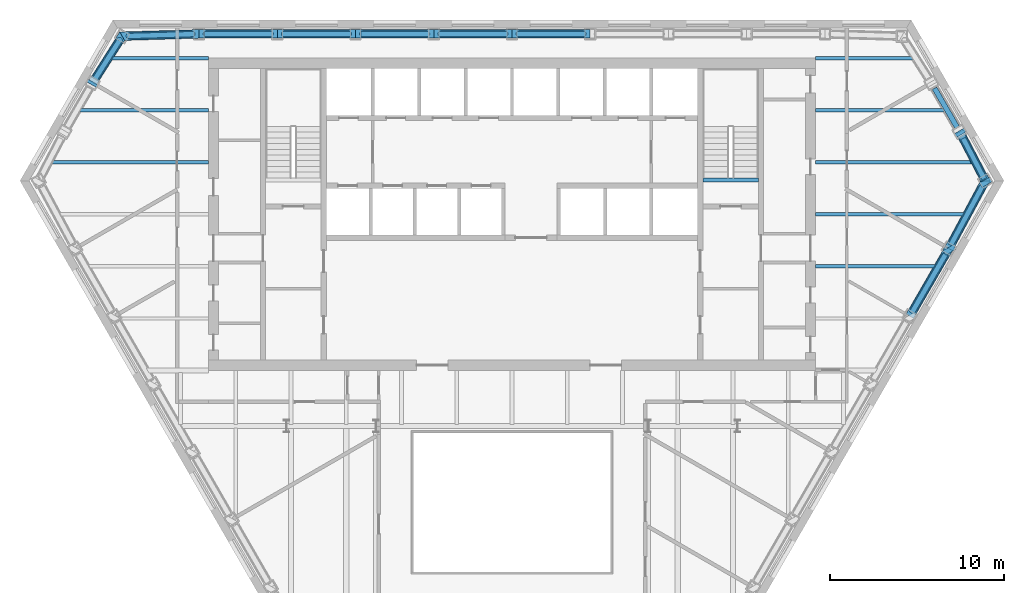
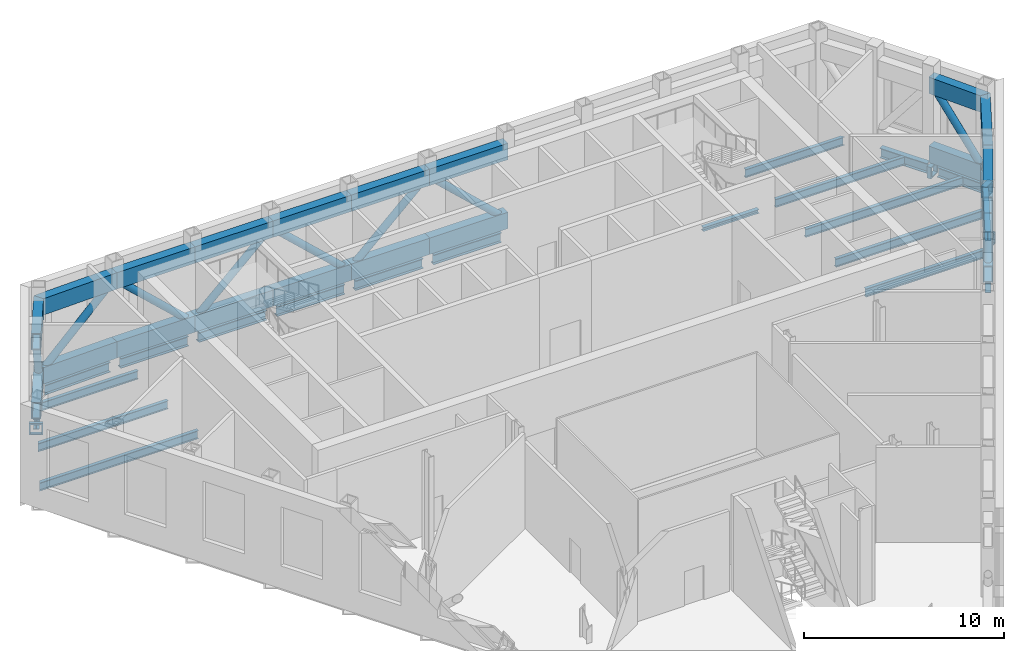
# One storey, part 5 of 14: 30 members, 24 beams.
"""IFC4 building model written with IfcOpenShell, lengths in metres."""

from ifc_helpers import new_model, si_unit, direction, frame, origin, origin_2d, place, context, subcontext, project, spatial, hollow_rectangle, hollow_circle, i_section, extrude, clip, halfspace, material, material_profile, profile_set, type_object, element, save


model = new_model("IFC4")

# Units and contexts
model_context = context("Model", 3, precision=1e-05, world=origin(), true_north=direction((0.0, 1.0)))
body_context = subcontext(model_context, "Body", "Model", "MODEL_VIEW")
ifc_project = project(units=[si_unit("LENGTHUNIT", "METRE"), si_unit("AREAUNIT", "SQUARE_METRE"), si_unit("VOLUMEUNIT", "CUBIC_METRE"), si_unit("PLANEANGLEUNIT", "RADIAN"), si_unit("MASSUNIT", "GRAM", prefix="KILO")], contexts=[model_context])

# Site, building, storey
site_placement = place(None, origin())
site = spatial("IfcSite", under=ifc_project, at=site_placement, CompositionType="ELEMENT")
building_placement = place(site_placement, origin())
building = spatial("IfcBuilding", under=site, at=building_placement, Name="Njiva Tower", CompositionType="ELEMENT")
storey_placement = place(building_placement, frame((0.0, 0.0, 78.3)))
storey = spatial("IfcBuildingStorey", under=building, at=storey_placement, Name="L16", CompositionType="ELEMENT", Elevation=78.3)

# Beams
ifc_material_1 = material(Name="Steel S355 J2", Category="steel")
ifc_material_profile_1 = material_profile(ifc_material_1, hollow_rectangle(XDim=0.7, YDim=0.7, WallThickness=0.08, at=origin_2d()), Name="BOX 700x700x80")
ifc_profile_set_1 = profile_set([ifc_material_profile_1], Name="Steel S355 J2")
beam_type_1 = type_object("IfcBeamType", Name="B19 Column jog beam BOX 700x700x80", PredefinedType="BEAM", material=ifc_profile_set_1)
beam_1_placement = place(storey_placement, frame((-24.227, 16.474, -0.55), z_axis=(0.49972245349, 0.866185586049, 0.0), x_axis=(-0.866185586049, 0.49972245349, 0.0)))
element("IfcBeam", 1, at=beam_1_placement, inside=storey, type_object=beam_type_1, Name="Column jog beam T1-B029", PredefinedType="BEAM", context=body_context, shape_type="SweptSolid", body=[
    extrude(hollow_rectangle(XDim=0.7, YDim=0.7, WallThickness=0.08, at=origin_2d()), origin(), (0.0, 0.0, 1.0), 0.1801),
])
for number, where, z_axis, x_axis, name in (
    (2, (25.292, 6.822, -0.55), (-0.49972245349, 0.866185586049, 0.0), (-0.866185586049, -0.49972245349, 0.0), "Column jog beam T1-B055"),
    (3, (27.393, 10.726, -0.55), (-0.49972245349, 0.866185586049, 0.0), (-0.866185586049, -0.49972245349, 0.0), "Column jog beam T1-B057"),
):
    element("IfcBeam", number, at=place(storey_placement, frame(where, z_axis=z_axis, x_axis=x_axis)), inside=storey, type_object=beam_type_1, Name=name, PredefinedType="BEAM", context=body_context, shape_type="SweptSolid", body=[
        extrude(hollow_rectangle(XDim=0.7, YDim=0.7, WallThickness=0.08, at=origin_2d()), origin(), (0.0, 0.0, 1.0), 0.3002),
    ])
beam_2_placement = place(storey_placement, frame((25.887, 13.6, -0.55), z_axis=(-0.49972245349, 0.866185586049, 0.0), x_axis=(-0.866185586049, -0.49972245349, 0.0)))
element("IfcBeam", 4, at=beam_2_placement, inside=storey, type_object=beam_type_1, Name="Column jog beam T1-B056", PredefinedType="BEAM", context=body_context, shape_type="SweptSolid", body=[
    extrude(hollow_rectangle(XDim=0.7, YDim=0.7, WallThickness=0.08, at=origin_2d()), origin(), (0.0, 0.0, 1.0), 0.2401),
])
ifc_material_profile_2 = material_profile(ifc_material_1, i_section(OverallWidth=0.2, OverallDepth=0.5, WebThickness=0.0102, FlangeThickness=0.016, at=origin_2d()), Name="IPE 500")
ifc_profile_set_2 = profile_set([ifc_material_profile_2], Name="Steel S355 J2")
beam_type_2 = type_object("IfcBeamType", Name="B24 Floor beam to the core IPE 500", PredefinedType="BEAM", material=ifc_profile_set_2)
beam_3_placement = place(storey_placement, frame((17.5, 6.0, -0.45), z_axis=(1.0, 0.0, 0.0), x_axis=(0.0, 1.0, 0.0)))
element("IfcBeam", 5, at=beam_3_placement, inside=storey, type_object=beam_type_2, Name="Floor beam to the core T1-B008", PredefinedType="BEAM", context=body_context, shape_type="Clipping", body=[
    clip(extrude(i_section(OverallWidth=0.2, OverallDepth=0.5, WebThickness=0.0102, FlangeThickness=0.016, at=origin_2d()), origin(), (0.0, 0.0, 1.0), 7.04), halfspace(frame((-0.025, 0.0, 6.948), z_axis=(-0.499998009787, 0.0, 0.866026552831), x_axis=(0.0, 1.0, 0.0)), False)),
])
beam_4_placement = place(storey_placement, frame((17.5, 9.0, -0.45), z_axis=(1.0, 0.0, 0.0), x_axis=(0.0, 1.0, 0.0)))
element("IfcBeam", 6, at=beam_4_placement, inside=storey, type_object=beam_type_2, Name="Floor beam to the core T1-B009", PredefinedType="BEAM", context=body_context, shape_type="Clipping", body=[
    clip(extrude(i_section(OverallWidth=0.2, OverallDepth=0.5, WebThickness=0.0102, FlangeThickness=0.016, at=origin_2d()), origin(), (0.0, 0.0, 1.0), 8.693), halfspace(frame((-0.0237, 0.0, 8.606), z_axis=(-0.473769423091, 0.0, 0.880648927634), x_axis=(0.0, 1.0, 0.0)), False)),
])
beam_5_placement = place(storey_placement, frame((-26.674, 12.0, -0.45), z_axis=(1.0, 0.0, 0.0), x_axis=(0.0, 1.0, 0.0)))
element("IfcBeam", 7, at=beam_5_placement, inside=storey, type_object=beam_type_2, Name="Floor beam to the core T1-B001", PredefinedType="BEAM", context=body_context, shape_type="Clipping", body=[
    clip(extrude(i_section(OverallWidth=0.2, OverallDepth=0.5, WebThickness=0.0102, FlangeThickness=0.016, at=origin_2d()), origin(), (0.0, 0.0, 1.0), 9.174), halfspace(frame((0.0232, 0.0, 0.0841), z_axis=(0.463367908872, 0.0, -0.88616600083), x_axis=(0.0, -1.0, 0.0)), False)),
])
beam_6_placement = place(storey_placement, frame((17.5, 12.0, -0.45), z_axis=(1.0, 0.0, 0.0), x_axis=(0.0, 1.0, 0.0)))
element("IfcBeam", 8, at=beam_6_placement, inside=storey, type_object=beam_type_2, Name="Floor beam to the core T1-B010", PredefinedType="BEAM", context=body_context, shape_type="Clipping", body=[
    clip(extrude(i_section(OverallWidth=0.2, OverallDepth=0.5, WebThickness=0.0102, FlangeThickness=0.016, at=origin_2d()), origin(), (0.0, 0.0, 1.0), 9.174), halfspace(frame((0.0232, 0.0, 9.0899), z_axis=(0.463367908872, 0.0, 0.88616600083), x_axis=(0.0, 1.0, 0.0)), False)),
])
beam_7_placement = place(storey_placement, frame((-25.041, 15.0, -0.45), z_axis=(1.0, 0.0, 0.0), x_axis=(0.0, 1.0, 0.0)))
element("IfcBeam", 9, at=beam_7_placement, inside=storey, type_object=beam_type_2, Name="Floor beam to the core T1-B003", PredefinedType="BEAM", context=body_context, shape_type="Clipping", body=[
    clip(extrude(i_section(OverallWidth=0.2, OverallDepth=0.5, WebThickness=0.0102, FlangeThickness=0.016, at=origin_2d()), origin(), (0.0, 0.0, 1.0), 7.541), halfspace(frame((0.025, 0.0, 0.0924), z_axis=(0.499998009787, 0.0, -0.866026552831), x_axis=(0.0, -1.0, 0.0)), False)),
])
beam_8_placement = place(storey_placement, frame((17.5, 15.0, -0.45), z_axis=(1.0, 0.0, 0.0), x_axis=(0.0, 1.0, 0.0)))
element("IfcBeam", 10, at=beam_8_placement, inside=storey, type_object=beam_type_2, Name="Floor beam to the core T1-B011", PredefinedType="BEAM", context=body_context, shape_type="Clipping", body=[
    clip(extrude(i_section(OverallWidth=0.2, OverallDepth=0.5, WebThickness=0.0102, FlangeThickness=0.016, at=origin_2d()), origin(), (0.0, 0.0, 1.0), 7.541), halfspace(frame((0.025, 0.0, 7.4486), z_axis=(0.499998009787, 0.0, 0.866026552831), x_axis=(0.0, 1.0, 0.0)), False)),
])
beam_9_placement = place(storey_placement, frame((-23.23, 18.0, -0.45), z_axis=(1.0, 0.0, 0.0), x_axis=(0.0, 1.0, 0.0)))
element("IfcBeam", 11, at=beam_9_placement, inside=storey, type_object=beam_type_2, Name="Floor beam to the core T1-B005", PredefinedType="BEAM", context=body_context, shape_type="Clipping", body=[
    clip(extrude(i_section(OverallWidth=0.2, OverallDepth=0.5, WebThickness=0.0102, FlangeThickness=0.016, at=origin_2d()), origin(), (0.0, 0.0, 1.0), 5.73), halfspace(frame((0.0268, 0.0, 0.1003), z_axis=(0.535760140771, 0.0, -0.844370221858), x_axis=(0.0, -1.0, 0.0)), False)),
])
beam_10_placement = place(storey_placement, frame((17.5, 18.0, -0.45), z_axis=(1.0, 0.0, 0.0), x_axis=(0.0, 1.0, 0.0)))
element("IfcBeam", 12, at=beam_10_placement, inside=storey, type_object=beam_type_2, Name="Floor beam to the core T1-B012", PredefinedType="BEAM", context=body_context, shape_type="Clipping", body=[
    clip(extrude(i_section(OverallWidth=0.2, OverallDepth=0.5, WebThickness=0.0102, FlangeThickness=0.016, at=origin_2d()), origin(), (0.0, 0.0, 1.0), 5.73), halfspace(frame((0.0268, 0.0, 5.6297), z_axis=(0.535760140771, 0.0, 0.844370221858), x_axis=(0.0, 1.0, 0.0)), False)),
])
ifc_material_profile_3 = material_profile(ifc_material_1, i_section(OverallWidth=0.3, OverallDepth=0.6, WebThickness=0.0155, FlangeThickness=0.03, at=origin_2d()), Name="HEB 600")
ifc_profile_set_3 = profile_set([ifc_material_profile_3], Name="Steel S355 J2")
beam_type_3 = type_object("IfcBeamType", Name="B3 Short-span spandrel beam HEB 600", PredefinedType="SPANDREL", material=ifc_profile_set_3)
for number, where, z_axis, x_axis, name in (
    (13, (4.208, 19.4, -0.5), (-1.0, 0.0, 0.0), (0.0, -1.0, 0.0), "Short-span spandrel beam T1-B113"),
    (14, (-0.3, 19.4, -0.5), (-1.0, 0.0, 0.0), (0.0, -1.0, 0.0), "Short-span spandrel beam T1-B111"),
):
    element("IfcBeam", number, at=place(storey_placement, frame(where, z_axis=z_axis, x_axis=x_axis)), inside=storey, type_object=beam_type_3, Name=name, PredefinedType="SPANDREL", context=body_context, shape_type="SweptSolid", body=[
        extrude(i_section(OverallWidth=0.3, OverallDepth=0.6, WebThickness=0.0155, FlangeThickness=0.03, at=origin_2d()), origin(), (0.0, 0.0, 1.0), 3.908),
    ])
beam_11_placement = place(storey_placement, frame((-4.808, 19.4, -0.5), z_axis=(-1.0, 0.0, 0.0), x_axis=(0.0, -1.0, 0.0)))
element("IfcBeam", 15, at=beam_11_placement, inside=storey, type_object=beam_type_3, Name="Short-span spandrel beam T1-B108", PredefinedType="SPANDREL", context=body_context, shape_type="SweptSolid", body=[
    extrude(i_section(OverallWidth=0.3, OverallDepth=0.6, WebThickness=0.0155, FlangeThickness=0.03, at=origin_2d()), origin(), (0.0, 0.0, 1.0), 3.907),
])
beam_12_placement = place(storey_placement, frame((-9.315, 19.4, -0.5), z_axis=(-1.0, 0.0, 0.0), x_axis=(0.0, -1.0, 0.0)))
element("IfcBeam", 16, at=beam_12_placement, inside=storey, type_object=beam_type_3, Name="Short-span spandrel beam T1-B105", PredefinedType="SPANDREL", context=body_context, shape_type="SweptSolid", body=[
    extrude(i_section(OverallWidth=0.3, OverallDepth=0.6, WebThickness=0.0155, FlangeThickness=0.03, at=origin_2d()), origin(), (0.0, 0.0, 1.0), 3.908),
])
beam_13_placement = place(storey_placement, frame((-13.823, 19.4, -0.5), z_axis=(-1.0, 0.0, 0.0), x_axis=(0.0, -1.0, 0.0)))
element("IfcBeam", 17, at=beam_13_placement, inside=storey, type_object=beam_type_3, Name="Short-span spandrel beam T1-B102", PredefinedType="SPANDREL", context=body_context, shape_type="SweptSolid", body=[
    extrude(i_section(OverallWidth=0.3, OverallDepth=0.6, WebThickness=0.0155, FlangeThickness=0.03, at=origin_2d()), origin(), (0.0, 0.0, 1.0), 3.907),
])
beam_14_placement = place(storey_placement, frame((-18.334, 19.391, -0.5), z_axis=(-0.999544331639, -0.030184914916, 0.0), x_axis=(0.030184914916, -0.999544331639, 0.0)))
element("IfcBeam", 18, at=beam_14_placement, inside=storey, type_object=beam_type_3, Name="Short-span spandrel beam T1-B099", PredefinedType="SPANDREL", context=body_context, shape_type="Clipping", body=[
    clip(extrude(i_section(OverallWidth=0.3, OverallDepth=0.6, WebThickness=0.0155, FlangeThickness=0.03, at=origin_2d()), origin(), (0.0, 0.0, 1.0), 3.8897), halfspace(frame((-0.0268, 0.0, 3.76), z_axis=(-0.525911114325, 0.0, 0.850539534548), x_axis=(0.0, 1.0, 0.0)), False)),
])
beam_15_placement = place(storey_placement, frame((-22.625, 19.009, -0.5), z_axis=(-0.535892126405, -0.844286461373, 0.0), x_axis=(0.844286461373, -0.535892126405, 0.0)))
element("IfcBeam", 19, at=beam_15_placement, inside=storey, type_object=beam_type_3, Name="Short-span spandrel beam T1-B097", PredefinedType="SPANDREL", context=body_context, shape_type="SweptSolid", body=[
    extrude(i_section(OverallWidth=0.3, OverallDepth=0.6, WebThickness=0.0155, FlangeThickness=0.03, at=origin_2d()), origin(), (0.0, 0.0, 1.0), 2.633),
])
beam_16_placement = place(storey_placement, frame((23.024, 3.308, -0.5), z_axis=(0.499855389907, 0.866108878364, 0.0), x_axis=(-0.866108878364, 0.499855389907, 0.0)))
element("IfcBeam", 20, at=beam_16_placement, inside=storey, type_object=beam_type_3, Name="Short-span spandrel beam T1-B128", PredefinedType="SPANDREL", context=body_context, shape_type="SweptSolid", body=[
    extrude(i_section(OverallWidth=0.3, OverallDepth=0.6, WebThickness=0.0155, FlangeThickness=0.03, at=origin_2d()), origin(), (0.0, 0.0, 1.0), 3.9071),
])
beam_17_placement = place(storey_placement, frame((25.274, 7.218, -0.5), z_axis=(0.473698872936, 0.880686878396, 0.0), x_axis=(-0.880686878396, 0.473698872936, 0.0)))
element("IfcBeam", 21, at=beam_17_placement, inside=storey, type_object=beam_type_3, Name="Short-span spandrel beam T1-B130", PredefinedType="SPANDREL", context=body_context, shape_type="Clipping", body=[
    clip(extrude(i_section(OverallWidth=0.3, OverallDepth=0.6, WebThickness=0.0155, FlangeThickness=0.03, at=origin_2d()), origin(), (0.0, 0.0, 1.0), 3.9804), halfspace(frame((-0.0263, 0.0, 3.8507), z_axis=(-0.525849727715, 0.0, 0.850577488453), x_axis=(0.0, 1.0, 0.0)), False)),
])
beam_18_placement = place(storey_placement, frame((27.214, 11.045, -0.5), z_axis=(-0.463240653882, 0.886232529639, 0.0), x_axis=(-0.886232529639, -0.463240653882, 0.0)))
element("IfcBeam", 22, at=beam_18_placement, inside=storey, type_object=beam_type_3, Name="Short-span spandrel beam T1-B131", PredefinedType="SPANDREL", context=body_context, shape_type="SweptSolid", body=[
    extrude(i_section(OverallWidth=0.3, OverallDepth=0.6, WebThickness=0.0155, FlangeThickness=0.03, at=origin_2d()), origin(), (0.0, 0.0, 1.0), 2.6336),
])
beam_19_placement = place(storey_placement, frame((25.707, 13.912, -0.5), z_axis=(-0.500253084543, 0.86587923604, 0.0), x_axis=(-0.86587923604, -0.500253084543, 0.0)))
element("IfcBeam", 23, at=beam_19_placement, inside=storey, type_object=beam_type_3, Name="Short-span spandrel beam T1-B129", PredefinedType="SPANDREL", context=body_context, shape_type="SweptSolid", body=[
    extrude(i_section(OverallWidth=0.3, OverallDepth=0.6, WebThickness=0.0155, FlangeThickness=0.03, at=origin_2d()), origin(), (0.0, 0.0, 1.0), 2.7186),
])
ifc_material_profile_4 = material_profile(ifc_material_1, i_section(OverallWidth=0.24, OverallDepth=0.23, WebThickness=0.0075, FlangeThickness=0.012, at=origin_2d()), Name="HEA240")
ifc_profile_set_4 = profile_set([ifc_material_profile_4], Name="Steel S355 J2")
beam_type_4 = type_object("IfcBeamType", Name="FL8 Landing beam HEA 240", PredefinedType="BEAM", material=ifc_profile_set_4)
beam_20_placement = place(storey_placement, frame((10.994, 10.98, 2.685), z_axis=(1.0, 0.0, 0.0), x_axis=(0.0, 1.0, 0.0)))
element("IfcBeam", 24, at=beam_20_placement, inside=storey, type_object=beam_type_4, Name="Landing beam", PredefinedType="BEAM", context=body_context, shape_type="SweptSolid", body=[
    extrude(i_section(OverallWidth=0.24, OverallDepth=0.23, WebThickness=0.0075, FlangeThickness=0.012, at=origin_2d()), origin(), (0.0, 0.0, 1.0), 3.212),
])

# Members
ifc_material_profile_5 = material_profile(ifc_material_1, hollow_rectangle(XDim=0.5, YDim=1.0, WallThickness=0.06, at=origin_2d()), Name="BOX 1000x500x60")
ifc_profile_set_5 = profile_set([ifc_material_profile_5], Name="Steel S355 J2")
member_type_1 = type_object("IfcMemberType", Name="TC1 Transfer and belt truss chord BOX 1000x500x60", PredefinedType="CHORD", material=ifc_profile_set_5)
for number, where, z_axis, x_axis, name in (
    (25, (4.508, 19.4, 0.5), (-1.0, 0.0, 0.0), (0.0, -1.0, 0.0), "Transfer and belt truss chord T1-TR013"),
    (26, (4.508, 19.4, 4.7), (-1.0, 0.0, 0.0), (0.0, -1.0, 0.0), "Transfer and belt truss chord T1-TR014"),
    (27, (0.0, 19.4, 0.5), (-1.0, 0.0, 0.0), (0.0, -1.0, 0.0), "Transfer and belt truss chord T1-TR016"),
    (28, (0.0, 19.4, 4.7), (-1.0, 0.0, 0.0), (0.0, -1.0, 0.0), "Transfer and belt truss chord T1-TR017"),
):
    element("IfcMember", number, at=place(storey_placement, frame(where, z_axis=z_axis, x_axis=x_axis)), inside=storey, type_object=member_type_1, Name=name, PredefinedType="CHORD", context=body_context, shape_type="SweptSolid", body=[
        extrude(hollow_rectangle(XDim=0.5, YDim=1.0, WallThickness=0.06, at=origin_2d()), origin(), (0.0, 0.0, 1.0), 4.508),
    ])
for number, where, z_axis, x_axis, name in (
    (29, (-4.508, 19.4, 0.5), (-1.0, 0.0, 0.0), (0.0, -1.0, 0.0), "Transfer and belt truss chord T1-TR019"),
    (30, (-4.508, 19.4, 4.7), (-1.0, 0.0, 0.0), (0.0, -1.0, 0.0), "Transfer and belt truss chord T1-TR020"),
):
    element("IfcMember", number, at=place(storey_placement, frame(where, z_axis=z_axis, x_axis=x_axis)), inside=storey, type_object=member_type_1, Name=name, PredefinedType="CHORD", context=body_context, shape_type="SweptSolid", body=[
        extrude(hollow_rectangle(XDim=0.5, YDim=1.0, WallThickness=0.06, at=origin_2d()), origin(), (0.0, 0.0, 1.0), 4.507),
    ])
for number, where, z_axis, x_axis, name in (
    (31, (-9.015, 19.4, 0.5), (-1.0, 0.0, 0.0), (0.0, -1.0, 0.0), "Transfer and belt truss chord T1-TR022"),
    (32, (-9.015, 19.4, 4.7), (-1.0, 0.0, 0.0), (0.0, -1.0, 0.0), "Transfer and belt truss chord T1-TR023"),
):
    element("IfcMember", number, at=place(storey_placement, frame(where, z_axis=z_axis, x_axis=x_axis)), inside=storey, type_object=member_type_1, Name=name, PredefinedType="CHORD", context=body_context, shape_type="SweptSolid", body=[
        extrude(hollow_rectangle(XDim=0.5, YDim=1.0, WallThickness=0.06, at=origin_2d()), origin(), (0.0, 0.0, 1.0), 4.508),
    ])
member_1_placement = place(storey_placement, frame((-13.523, 19.4, 0.5), z_axis=(-1.0, 0.0, 0.0), x_axis=(0.0, -1.0, 0.0)))
element("IfcMember", 33, at=member_1_placement, inside=storey, type_object=member_type_1, Name="Transfer and belt truss chord T1-TR025", PredefinedType="CHORD", context=body_context, shape_type="Clipping", body=[
    clip(extrude(hollow_rectangle(XDim=0.5, YDim=1.0, WallThickness=0.06, at=origin_2d()), origin(), (0.0, 0.0, 1.0), 4.541), halfspace(frame((0.0, -78.8, 4.507), z_axis=(0.014999962409, 0.0, 0.999887494235), x_axis=(0.0, 1.0, 0.0)), False)),
])
member_2_placement = place(storey_placement, frame((-13.523, 19.4, 4.7), z_axis=(-1.0, 0.0, 0.0), x_axis=(0.0, -1.0, 0.0)))
element("IfcMember", 34, at=member_2_placement, inside=storey, type_object=member_type_1, Name="Transfer and belt truss chord T1-TR026", PredefinedType="CHORD", context=body_context, shape_type="Clipping", body=[
    clip(extrude(hollow_rectangle(XDim=0.5, YDim=1.0, WallThickness=0.06, at=origin_2d()), origin(), (0.0, 0.0, 1.0), 4.541), halfspace(frame((0.0, -83.0, 4.507), z_axis=(0.014999962409, 0.0, 0.999887494235), x_axis=(0.0, 1.0, 0.0)), False)),
])
member_3_placement = place(storey_placement, frame((-17.996, 19.401, 0.5), z_axis=(-0.999549830104, -0.03000228558, 0.0), x_axis=(0.03000228558, -0.999549830104, 0.0)))
element("IfcMember", 35, at=member_3_placement, inside=storey, type_object=member_type_1, Name="Transfer and belt truss chord T1-TR028", PredefinedType="CHORD", context=body_context, shape_type="Clipping", body=[
    clip(clip(extrude(hollow_rectangle(XDim=0.5, YDim=1.0, WallThickness=0.06, at=origin_2d()), origin(), (0.0, 0.0, 1.0), 4.63), halfspace(frame((0.0, -78.8, 0.034), z_axis=(0.015005700272, 0.0, -0.999887408141), x_axis=(0.0, -1.0, 0.0)), False)), halfspace(frame((0.0, -78.8, 4.467), z_axis=(0.468606698505, 0.0, 0.88340690631), x_axis=(0.0, 1.0, 0.0)), False)),
])
member_4_placement = place(storey_placement, frame((-17.996, 19.401, 4.7), z_axis=(-0.999549830104, -0.03000228558, 0.0), x_axis=(0.03000228558, -0.999549830104, 0.0)))
element("IfcMember", 36, at=member_4_placement, inside=storey, type_object=member_type_1, Name="Transfer and belt truss chord T1-TR029", PredefinedType="CHORD", context=body_context, shape_type="Clipping", body=[
    clip(clip(extrude(hollow_rectangle(XDim=0.5, YDim=1.0, WallThickness=0.06, at=origin_2d()), origin(), (0.0, 0.0, 1.0), 4.63), halfspace(frame((0.0, -83.0, 0.034), z_axis=(0.015005700272, 0.0, -0.999887408141), x_axis=(0.0, -1.0, 0.0)), False)), halfspace(frame((0.0, -83.0, 4.467), z_axis=(0.468606698505, 0.0, 0.88340690631), x_axis=(0.0, 1.0, 0.0)), False)),
])
member_5_placement = place(storey_placement, frame((-22.3737, 19.4046, 0.5), z_axis=(-0.535716809488, -0.844397714369, 0.0), x_axis=(0.844397714369, -0.535716809488, 0.0)))
element("IfcMember", 37, at=member_5_placement, inside=storey, type_object=member_type_1, Name="Transfer and belt truss chord T1-TR031", PredefinedType="CHORD", context=body_context, shape_type="Clipping", body=[
    clip(clip(extrude(hollow_rectangle(XDim=0.5, YDim=1.0, WallThickness=0.06, at=origin_2d()), origin(), (0.0, 0.0, 1.0), 3.3825), halfspace(frame((0.0, -78.8, 0.163), z_axis=(0.468613118526, 0.0, -0.883403500755), x_axis=(0.0, -1.0, 0.0)), False)), halfspace(frame((0.0, -78.8, 3.3475), z_axis=(0.020785143043, 0.0, 0.999783965579), x_axis=(0.0, 1.0, 0.0)), False)),
])
member_6_placement = place(storey_placement, frame((-22.3737, 19.4046, 4.7), z_axis=(-0.535716809488, -0.844397714369, 0.0), x_axis=(0.844397714369, -0.535716809488, 0.0)))
element("IfcMember", 38, at=member_6_placement, inside=storey, type_object=member_type_1, Name="Transfer and belt truss chord T1-TR032", PredefinedType="CHORD", context=body_context, shape_type="Clipping", body=[
    clip(clip(extrude(hollow_rectangle(XDim=0.5, YDim=1.0, WallThickness=0.06, at=origin_2d()), origin(), (0.0, 0.0, 1.0), 3.3825), halfspace(frame((0.0, -83.0, 0.163), z_axis=(0.468613118526, 0.0, -0.883403500755), x_axis=(0.0, -1.0, 0.0)), False)), halfspace(frame((0.0, -83.0, 3.3475), z_axis=(0.020785143043, 0.0, 0.999783965579), x_axis=(0.0, 1.0, 0.0)), False)),
])
member_7_placement = place(storey_placement, frame((22.919, 3.126, 0.5), z_axis=(0.499837685251, 0.86611909597, 0.0), x_axis=(-0.86611909597, 0.499837685251, 0.0)))
element("IfcMember", 39, at=member_7_placement, inside=storey, type_object=member_type_1, Name="Transfer and belt truss chord T1-TR103", PredefinedType="CHORD", context=body_context, shape_type="Clipping", body=[
    clip(extrude(hollow_rectangle(XDim=0.5, YDim=1.0, WallThickness=0.06, at=origin_2d()), origin(), (0.0, 0.0, 1.0), 4.5415), halfspace(frame((0.0, -78.8, 4.5075), z_axis=(0.014852471498, 0.0, 0.999889695962), x_axis=(0.0, 1.0, 0.0)), False)),
])
member_8_placement = place(storey_placement, frame((22.919, 3.126, 4.7), z_axis=(0.499837685251, 0.86611909597, 0.0), x_axis=(-0.86611909597, 0.499837685251, 0.0)))
element("IfcMember", 40, at=member_8_placement, inside=storey, type_object=member_type_1, Name="Transfer and belt truss chord T1-TR104", PredefinedType="CHORD", context=body_context, shape_type="Clipping", body=[
    clip(extrude(hollow_rectangle(XDim=0.5, YDim=1.0, WallThickness=0.06, at=origin_2d()), origin(), (0.0, 0.0, 1.0), 4.5415), halfspace(frame((0.0, -83.0, 4.5075), z_axis=(0.014852471498, 0.0, 0.999889695962), x_axis=(0.0, 1.0, 0.0)), False)),
])
member_9_placement = place(storey_placement, frame((25.1559, 7.0001, 0.5), z_axis=(0.473898049697, 0.880579717285, 0.0), x_axis=(-0.880579717285, 0.473898049697, 0.0)))
element("IfcMember", 41, at=member_9_placement, inside=storey, type_object=member_type_1, Name="Transfer and belt truss chord T1-TR106", PredefinedType="CHORD", context=body_context, shape_type="Clipping", body=[
    clip(clip(extrude(hollow_rectangle(XDim=0.5, YDim=1.0, WallThickness=0.06, at=origin_2d()), origin(), (0.0, 0.0, 1.0), 4.6304), halfspace(frame((0.0, -78.8, 0.034), z_axis=(0.014845579979, 0.0, -0.999889798305), x_axis=(0.0, -1.0, 0.0)), False)), halfspace(frame((0.0, -78.8, 4.4674), z_axis=(0.468694367573, 0.0, 0.88336039633), x_axis=(0.0, 1.0, 0.0)), False)),
])
member_10_placement = place(storey_placement, frame((25.1559, 7.0001, 4.7), z_axis=(0.473898049697, 0.880579717285, 0.0), x_axis=(-0.880579717285, 0.473898049697, 0.0)))
element("IfcMember", 42, at=member_10_placement, inside=storey, type_object=member_type_1, Name="Transfer and belt truss chord T1-TR107", PredefinedType="CHORD", context=body_context, shape_type="Clipping", body=[
    clip(clip(extrude(hollow_rectangle(XDim=0.5, YDim=1.0, WallThickness=0.06, at=origin_2d()), origin(), (0.0, 0.0, 1.0), 4.6304), halfspace(frame((0.0, -83.0, 0.034), z_axis=(0.014845579979, 0.0, -0.999889798305), x_axis=(0.0, -1.0, 0.0)), False)), halfspace(frame((0.0, -83.0, 4.4674), z_axis=(0.468694367573, 0.0, 0.88336039633), x_axis=(0.0, 1.0, 0.0)), False)),
])
member_11_placement = place(storey_placement, frame((27.3485, 10.7896, 0.5), z_axis=(-0.463467182418, 0.886114084541, 0.0), x_axis=(-0.886114084541, -0.463467182418, 0.0)))
element("IfcMember", 43, at=member_11_placement, inside=storey, type_object=member_type_1, Name="Transfer and belt truss chord T1-TR109", PredefinedType="CHORD", context=body_context, shape_type="Clipping", body=[
    clip(clip(extrude(hollow_rectangle(XDim=0.5, YDim=1.0, WallThickness=0.06, at=origin_2d()), origin(), (0.0, 0.0, 1.0), 3.3827), halfspace(frame((0.0, -78.8, 0.163), z_axis=(0.468687202324, 0.0, -0.883364198039), x_axis=(0.0, -1.0, 0.0)), False)), halfspace(frame((0.0, -78.8, 3.3477), z_axis=(0.020941615519, 0.0, 0.999780700324), x_axis=(0.0, 1.0, 0.0)), False)),
])
member_12_placement = place(storey_placement, frame((27.3485, 10.7896, 4.7), z_axis=(-0.463467182418, 0.886114084541, 0.0), x_axis=(-0.886114084541, -0.463467182418, 0.0)))
element("IfcMember", 44, at=member_12_placement, inside=storey, type_object=member_type_1, Name="Transfer and belt truss chord T1-TR110", PredefinedType="CHORD", context=body_context, shape_type="Clipping", body=[
    clip(clip(extrude(hollow_rectangle(XDim=0.5, YDim=1.0, WallThickness=0.06, at=origin_2d()), origin(), (0.0, 0.0, 1.0), 3.3827), halfspace(frame((0.0, -83.0, 0.163), z_axis=(0.468687202324, 0.0, -0.883364198039), x_axis=(0.0, -1.0, 0.0)), False)), halfspace(frame((0.0, -83.0, 3.3477), z_axis=(0.020941615519, 0.0, 0.999780700324), x_axis=(0.0, 1.0, 0.0)), False)),
])
ifc_material_2 = material(Name="Steel S355 J2H", Category="steel")
ifc_material_profile_6 = material_profile(ifc_material_2, hollow_circle(Radius=0.2032, WallThickness=0.016, at=origin_2d()), Name="CHS 406.4x16")
ifc_profile_set_6 = profile_set([ifc_material_profile_6], Name="Steel S355 J2H")
member_type_2 = type_object("IfcMemberType", Name="TD1 Transfer and belt truss diagonal CHS 406.4x16", PredefinedType="BRACE", material=ifc_profile_set_6)
member_13_placement = place(storey_placement, frame((4.6909, 19.4, 0.3296), z_axis=(-0.731659471254, 0.0, 0.681670314833), x_axis=(0.0, -1.0, 0.0)))
element("IfcMember", 45, at=member_13_placement, inside=storey, type_object=member_type_2, Name="Transfer and belt truss diagonal T1-TR015", PredefinedType="BRACE", context=body_context, shape_type="Clipping", body=[
    clip(clip(extrude(hollow_circle(Radius=0.2032, WallThickness=0.016, at=origin_2d()), origin(), (0.0, 0.0, 1.0), 6.6613), halfspace(frame((19.4, -2.7145, 3.8823), z_axis=(0.0, -0.731659471254, -0.681670314833), x_axis=(0.0, -0.681670314833, 0.731659471254)), False)), halfspace(frame((19.4, -0.3585, 6.0773), z_axis=(0.0, 0.731659471254, 0.681670314833), x_axis=(0.0, 0.681670314833, -0.731659471254)), False)),
])
member_14_placement = place(storey_placement, frame((0.1829, 19.4, 4.8704), z_axis=(-0.731659471254, 0.0, -0.681670314833), x_axis=(0.0, -1.0, 0.0)))
element("IfcMember", 46, at=member_14_placement, inside=storey, type_object=member_type_2, Name="Transfer and belt truss diagonal T1-TR018", PredefinedType="BRACE", context=body_context, shape_type="Clipping", body=[
    clip(clip(extrude(hollow_circle(Radius=0.2032, WallThickness=0.016, at=origin_2d()), origin(), (0.0, 0.0, 1.0), 6.6613), halfspace(frame((19.4, -0.3585, 0.584), z_axis=(0.0, 0.731659471254, -0.681670314833), x_axis=(0.0, -0.681670314833, -0.731659471254)), False)), halfspace(frame((19.4, -2.7145, 2.779), z_axis=(0.0, -0.731659471254, 0.681670314833), x_axis=(0.0, 0.681670314833, 0.731659471254)), False)),
])
member_15_placement = place(storey_placement, frame((-4.3251, 19.4, 0.3296), z_axis=(-0.731584040019, 0.0, 0.681751268711), x_axis=(0.0, -1.0, 0.0)))
element("IfcMember", 47, at=member_15_placement, inside=storey, type_object=member_type_2, Name="Transfer and belt truss diagonal T1-TR021", PredefinedType="BRACE", context=body_context, shape_type="Clipping", body=[
    clip(clip(extrude(hollow_circle(Radius=0.2032, WallThickness=0.016, at=origin_2d()), origin(), (0.0, 0.0, 1.0), 6.6606), halfspace(frame((19.4, 3.4318, -2.7139), z_axis=(0.0, -0.731584040019, -0.681751268711), x_axis=(0.0, -0.681751268711, 0.731584040019)), False)), halfspace(frame((19.4, 5.7875, -0.5187), z_axis=(0.0, 0.731584040019, 0.681751268711), x_axis=(0.0, 0.681751268711, -0.731584040019)), False)),
])
member_16_placement = place(storey_placement, frame((-8.8321, 19.4, 4.8704), z_axis=(-0.731659471254, 0.0, -0.681670314833), x_axis=(0.0, -1.0, 0.0)))
element("IfcMember", 48, at=member_16_placement, inside=storey, type_object=member_type_2, Name="Transfer and belt truss diagonal T1-TR024", PredefinedType="BRACE", context=body_context, shape_type="Clipping", body=[
    clip(clip(extrude(hollow_circle(Radius=0.2032, WallThickness=0.016, at=origin_2d()), origin(), (0.0, 0.0, 1.0), 6.6613), halfspace(frame((19.4, -6.5038, -6.0119), z_axis=(0.0, 0.731659471254, -0.681670314833), x_axis=(0.0, -0.681670314833, -0.731659471254)), False)), halfspace(frame((19.4, -8.8597, -3.8169), z_axis=(0.0, -0.731659471254, 0.681670314833), x_axis=(0.0, 0.681670314833, 0.731659471254)), False)),
])
member_17_placement = place(storey_placement, frame((-13.3401, 19.4, 0.3296), z_axis=(-0.731584040019, 0.0, 0.681751268711), x_axis=(0.0, -1.0, 0.0)))
element("IfcMember", 49, at=member_17_placement, inside=storey, type_object=member_type_2, Name="Transfer and belt truss diagonal T1-TR027", PredefinedType="BRACE", context=body_context, shape_type="Clipping", body=[
    clip(clip(extrude(hollow_circle(Radius=0.2032, WallThickness=0.016, at=origin_2d()), origin(), (0.0, 0.0, 1.0), 6.6606), halfspace(frame((19.4, 9.5778, -9.3092), z_axis=(0.0, -0.731584040019, -0.681751268711), x_axis=(0.0, -0.681751268711, 0.731584040019)), False)), halfspace(frame((19.4, 11.9335, -7.1139), z_axis=(0.0, 0.731584040019, 0.681751268711), x_axis=(0.0, 0.681751268711, -0.731584040019)), False)),
])
member_18_placement = place(storey_placement, frame((-17.8515, 19.4054, 4.8692), z_axis=(-0.725599734047, -0.021779454892, -0.68777225976), x_axis=(0.03000228558, -0.999549830104, 0.0)))
element("IfcMember", 50, at=member_18_placement, inside=storey, type_object=member_type_2, Name="Transfer and belt truss diagonal T1-TR030", PredefinedType="BRACE", context=body_context, shape_type="Clipping", body=[
    clip(clip(extrude(hollow_circle(Radius=0.2032, WallThickness=0.016, at=origin_2d()), origin(), (0.0, 0.0, 1.0), 6.5987), halfspace(frame((19.9322, -12.3503, -12.077), z_axis=(0.0, 0.725926524315, -0.68777225976), x_axis=(0.0, -0.68777225976, -0.725926524315)), False)), halfspace(frame((19.9322, -14.6878, -9.8624), z_axis=(0.0, -0.725926524315, 0.68777225976), x_axis=(0.0, 0.68777225976, 0.725926524315)), False)),
])
member_19_placement = place(storey_placement, frame((-22.4011, 19.3614, 0.3526), z_axis=(-0.323671054278, -0.510170846983, 0.796845502912), x_axis=(0.844397714369, -0.535716809488, 0.0)))
element("IfcMember", 51, at=member_19_placement, inside=storey, type_object=member_type_2, Name="Transfer and belt truss diagonal T1-TR033", PredefinedType="BRACE", context=body_context, shape_type="Clipping", body=[
    clip(clip(extrude(hollow_circle(Radius=0.2032, WallThickness=0.016, at=origin_2d()), origin(), (0.0, 0.0, 1.0), 5.6408), halfspace(frame((29.2877, -3.0796, 3.1349), z_axis=(0.0, -0.604183121652, -0.796845502912), x_axis=(0.0, -0.796845502912, 0.604183121652)), False)), halfspace(frame((29.2877, -1.1341, 5.7008), z_axis=(0.0, 0.604183121652, 0.796845502912), x_axis=(0.0, 0.796845502912, -0.604183121652)), False)),
])
member_20_placement = place(storey_placement, frame((22.8276, 2.9676, 0.3296), z_axis=(0.365690741096, 0.633669175872, 0.681713765026), x_axis=(-0.86611909597, 0.499837685251, 0.0)))
element("IfcMember", 52, at=member_20_placement, inside=storey, type_object=member_type_2, Name="Transfer and belt truss diagonal T1-TR105", PredefinedType="BRACE", context=body_context, shape_type="Clipping", body=[
    clip(clip(extrude(hollow_circle(Radius=0.2032, WallThickness=0.016, at=origin_2d()), origin(), (0.0, 0.0, 1.0), 6.6609), halfspace(frame((18.2881, 10.0138, -9.7781), z_axis=(0.0, -0.731618987297, -0.681713765026), x_axis=(0.0, -0.681713765026, 0.731618987297)), False)), halfspace(frame((18.2881, 12.3696, -7.583), z_axis=(0.0, 0.731618987297, 0.681713765026), x_axis=(0.0, 0.681713765026, -0.731618987297)), False)),
])
member_21_placement = place(storey_placement, frame((25.0874, 6.8727, 4.8692), z_axis=(0.344031586924, 0.639266689838, -0.687735680666), x_axis=(-0.880579717285, 0.473898049697, 0.0)))
element("IfcMember", 53, at=member_21_placement, inside=storey, type_object=member_type_2, Name="Transfer and belt truss diagonal T1-TR108", PredefinedType="BRACE", context=body_context, shape_type="Clipping", body=[
    clip(clip(extrude(hollow_circle(Radius=0.2032, WallThickness=0.016, at=origin_2d()), origin(), (0.0, 0.0, 1.0), 6.599), halfspace(frame((18.8344, -12.8171, -12.571), z_axis=(0.0, 0.725961179085, -0.687735680666), x_axis=(0.0, -0.687735680666, -0.725961179085)), False)), halfspace(frame((18.8344, -15.1547, -10.3565), z_axis=(0.0, -0.725961179085, 0.687735680666), x_axis=(0.0, 0.687735680666, 0.725961179085)), False)),
])
member_22_placement = place(storey_placement, frame((27.3248, 10.835, 0.3526), z_axis=(-0.280028717779, 0.535393659602, 0.796829684737), x_axis=(-0.886114084541, -0.463467182418, 0.0)))
element("IfcMember", 54, at=member_22_placement, inside=storey, type_object=member_type_2, Name="Transfer and belt truss diagonal T1-TR111", PredefinedType="BRACE", context=body_context, shape_type="Clipping", body=[
    clip(clip(extrude(hollow_circle(Radius=0.2032, WallThickness=0.016, at=origin_2d()), origin(), (0.0, 0.0, 1.0), 5.6409), halfspace(frame((29.2345, -2.0557, 2.3587), z_axis=(0.0, -0.604203983372, -0.796829684737), x_axis=(0.0, -0.796829684737, 0.604203983372)), False)), halfspace(frame((29.2345, -0.1101, 4.9245), z_axis=(0.0, 0.604203983372, 0.796829684737), x_axis=(0.0, 0.796829684737, -0.604203983372)), False)),
])

save(model, "model.ifc")
